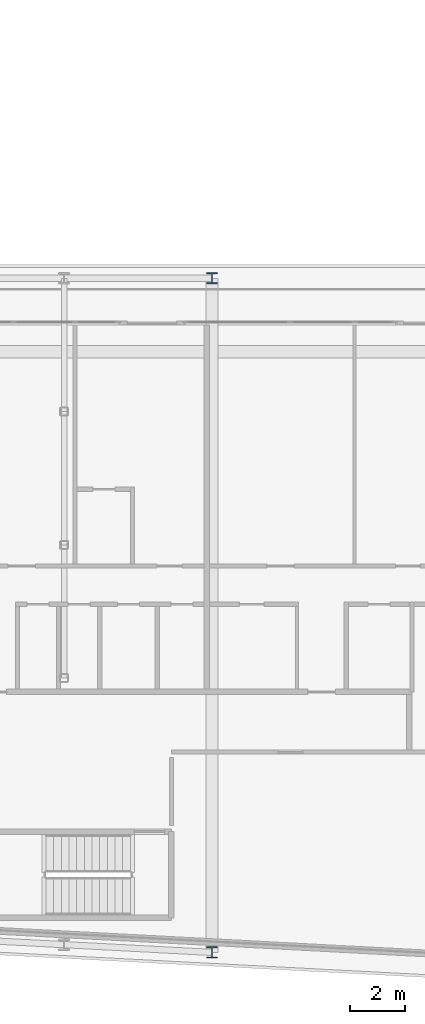
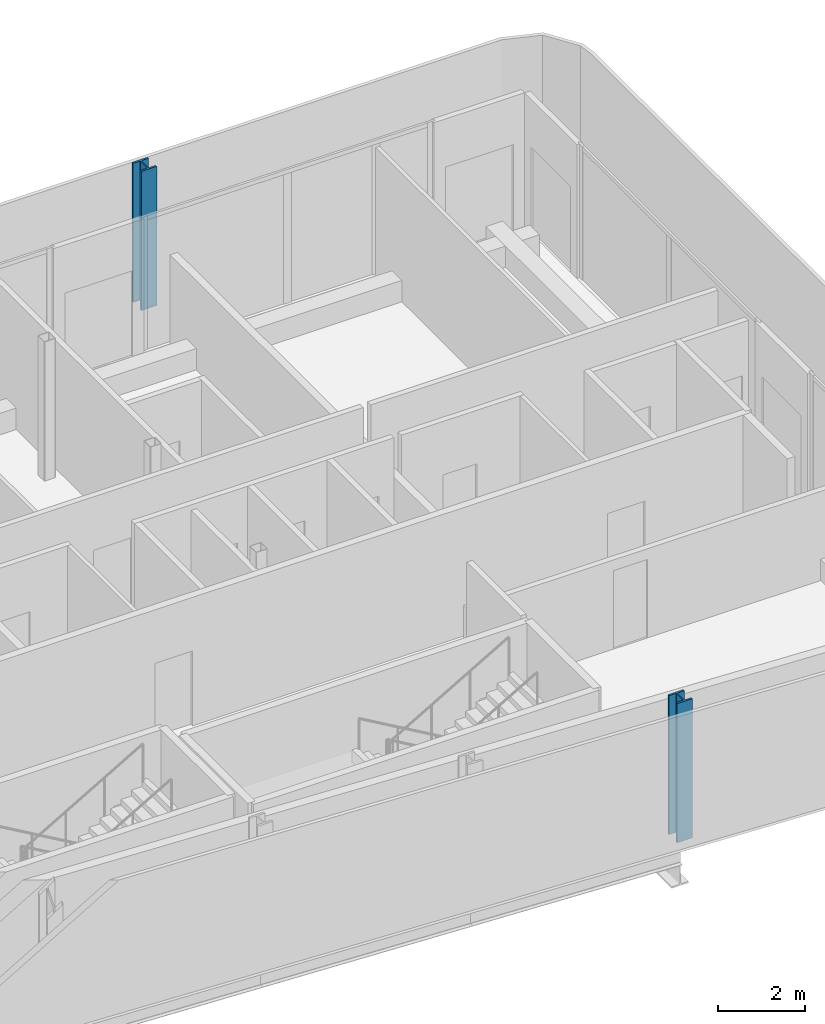
# One storey, part 4 of 28: 2 columns.
"""IFC4 building model written with IfcOpenShell, lengths in metres."""

from ifc_helpers import new_model, si_unit, direction, frame, origin, origin_2d, place, context, subcontext, project, spatial, i_section, extrude, material, material_profile, profile_set, type_object, element, save


model = new_model("IFC4")

# Units and contexts
model_context = context("Model", 3, precision=1e-05, world=origin(), true_north=direction((0.0, 1.0)))
body_context = subcontext(model_context, "Body", "Model", "MODEL_VIEW")
ifc_project = project(units=[si_unit("LENGTHUNIT", "METRE"), si_unit("AREAUNIT", "SQUARE_METRE"), si_unit("VOLUMEUNIT", "CUBIC_METRE"), si_unit("PLANEANGLEUNIT", "RADIAN"), si_unit("MASSUNIT", "GRAM", prefix="KILO")], contexts=[model_context])

# Site, building, storey
site_placement = place(None, origin())
site = spatial("IfcSite", under=ifc_project, at=site_placement, CompositionType="ELEMENT")
building_placement = place(site_placement, origin())
building = spatial("IfcBuilding", under=site, at=building_placement, Name="Kheshtan School and Residences Tower", CompositionType="ELEMENT")
storey_placement = place(building_placement, frame((0.0, 0.0, 191.60009765625)))
storey = spatial("IfcBuildingStorey", under=building, at=storey_placement, Name="L45", CompositionType="ELEMENT", Elevation=191.60009765625)

# Columns
ifc_material = material(Name="Steel ASTM A992 Grade 50", Category="steel")
ifc_material_profile = material_profile(ifc_material, i_section(OverallWidth=0.408935546875, OverallDepth=0.425048828125, WebThickness=0.03271484375, FlangeThickness=0.052490234375, FilletRadius=0.0126953125, at=origin_2d()), Name="W360x421")
ifc_profile_set = profile_set([ifc_material_profile], Name="Steel ASTM A992 Grade 50")
column_type = type_object("IfcColumnType", Name="Column C3 W360x421 ASTM A992 Grade 50", PredefinedType="COLUMN", material=ifc_profile_set)
for number, where, z_axis, x_axis, name in (
    (1, (90.800048828125, 20.989990234375, 0.0), (0.0, 0.0, 1.0), (1.0, 0.0, 0.0), "Column C006"),
    (2, (90.800048828125, 45.60009765625, 0.0), (0.0, 0.0, 1.0), (1.0, 0.0, 0.0), "Column C068"),
):
    element("IfcColumn", number, at=place(storey_placement, frame(where, z_axis=z_axis, x_axis=x_axis)), inside=storey, type_object=column_type, Name=name, PredefinedType="COLUMN", context=body_context, shape_type="SweptSolid", body=[
        extrude(i_section(OverallWidth=0.408935546875, OverallDepth=0.425048828125, WebThickness=0.03271484375, FlangeThickness=0.052490234375, FilletRadius=0.0126953125, at=origin_2d()), origin(), (0.0, 0.0, 1.0), 3.89990234375),
    ])

save(model, "model.ifc")
